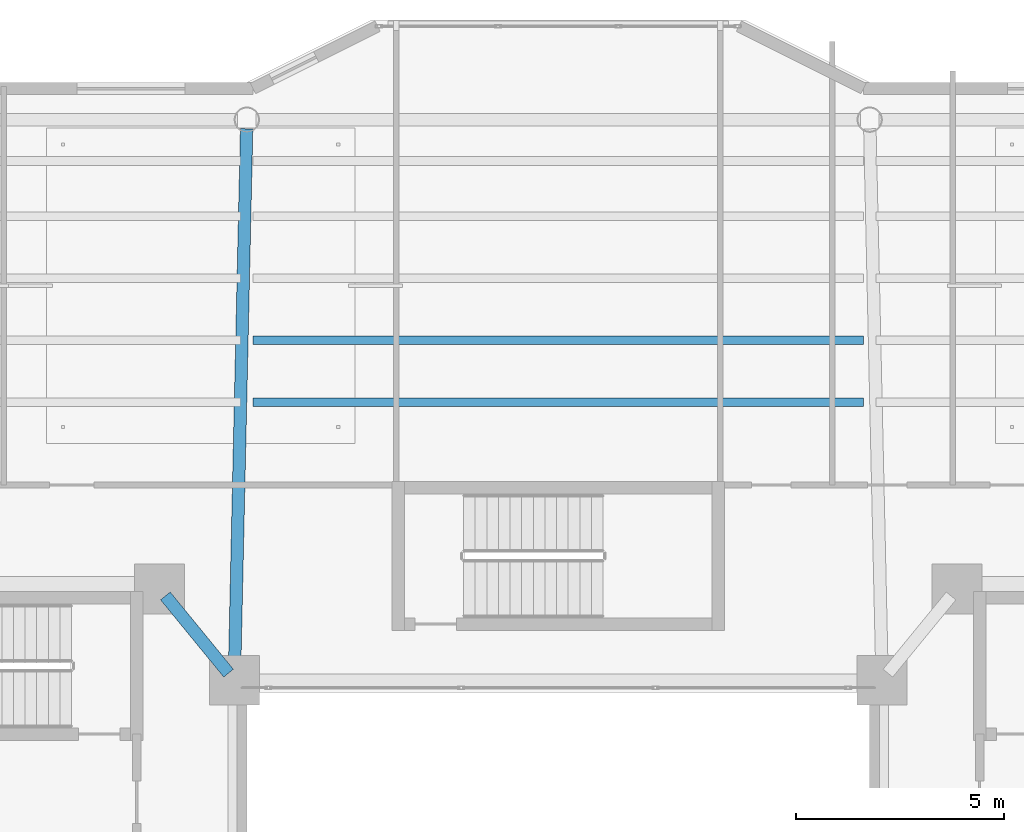
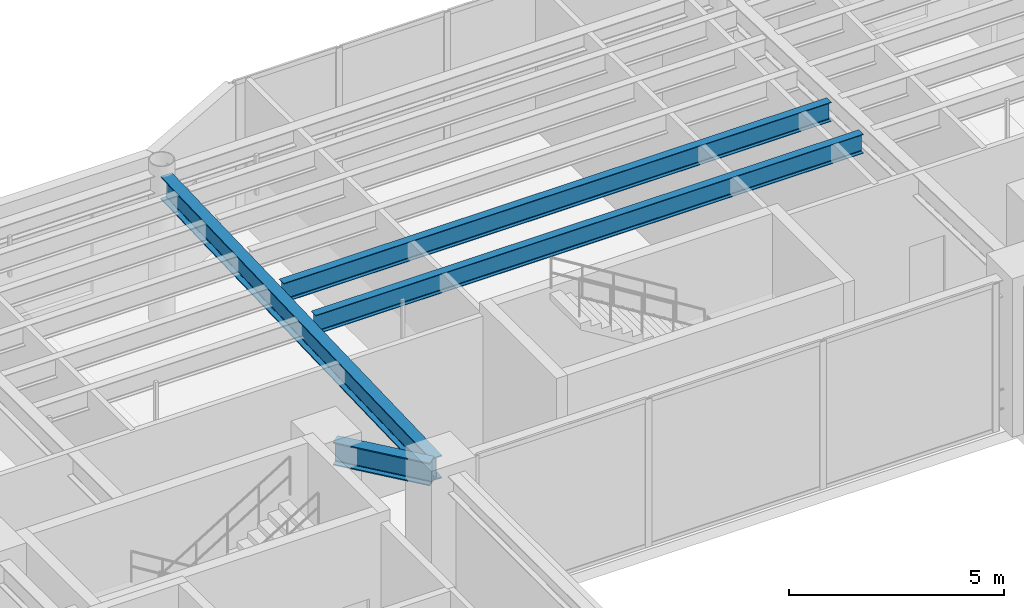
# One storey, part 22 of 37: 4 beams.
"""IFC4 building model written with IfcOpenShell, lengths in metres."""

import ifcopenshell
import ifcopenshell.guid

model = None  # the IFC model being written
_history = None  # IfcOwnerHistory: only IFC2X3 demands one
_inside = {}  # id of a spatial element -> (the spatial element, [elements in it])
_under = {}  # id of a project, library or spatial element -> (it, [spatial elements below it])
_declared = {}  # id of a project -> (the project, [libraries it declares])
_typed = {}  # id of a type object -> (the type object, [elements of that type])
_made_of = {}  # id of a material, layer set ... -> (it, [elements and type objects made of it])


def new_model(schema):
    """Start an empty IFC model of exactly this schema.

    Asked for "IFC4X3", IfcOpenShell would pick the latest addendum, in which some entities
    have other attributes; the version numbers below select the first issue.
    IFC2X3 requires an IfcOwnerHistory on every rooted entity: one is made here for all.
    """
    global model, _history
    if schema == "IFC4X3":
        model = ifcopenshell.file(schema_version=(4, 3, 0, 0))
    else:
        model = ifcopenshell.file(schema=schema)
    _inside.clear()
    _under.clear()
    _declared.clear()
    _typed.clear()
    _made_of.clear()
    _history = None
    if model.schema == "IFC2X3":
        org = make("IfcOrganization", Name="unknown")
        user = make(
            "IfcPersonAndOrganization",
            ThePerson=make("IfcPerson", FamilyName="unknown"),
            TheOrganization=org,
        )
        app = make(
            "IfcApplication",
            ApplicationDeveloper=org,
            Version="unknown",
            ApplicationFullName="unknown",
            ApplicationIdentifier="unknown",
        )
        _history = make(
            "IfcOwnerHistory",
            OwningUser=user,
            OwningApplication=app,
            ChangeAction="ADDED",
            CreationDate=0,
        )
    return model


def make(cls, **values):
    """One entity of the class cls with the attributes given. An attribute that is None is left unset."""
    return model.create_entity(
        cls, **{name: value for name, value in values.items() if value is not None}
    )


def rooted(cls, **values):
    """An entity with a GlobalId (a new one), such as an element, a storey or a relation."""
    return make(cls, GlobalId=ifcopenshell.guid.new(), OwnerHistory=_history, **values)


def si_unit(unit_type, name, prefix=None):
    """IfcSIUnit, for example si_unit("LENGTHUNIT", "METRE", prefix="MILLI")."""
    return make("IfcSIUnit", UnitType=unit_type, Prefix=prefix, Name=name)


def assignment(units):
    """IfcUnitAssignment: the units of a project."""
    return None if units is None else make("IfcUnitAssignment", Units=units)


def point(xyz):
    """IfcCartesianPoint."""
    return None if xyz is None else make("IfcCartesianPoint", Coordinates=xyz)


def direction(xyz):
    """IfcDirection."""
    return None if xyz is None else make("IfcDirection", DirectionRatios=xyz)


def frame(location, z_axis=None, x_axis=None):
    """IfcAxis2Placement3D, a coordinate frame: its origin and axes. An axis left out is left unset."""
    return make(
        "IfcAxis2Placement3D",
        Location=point(location),
        Axis=direction(z_axis),
        RefDirection=direction(x_axis),
    )


def frame_2d(location, x_axis=None):
    """IfcAxis2Placement2D, a coordinate frame in the plane: its origin and x axis."""
    return make(
        "IfcAxis2Placement2D", Location=point(location), RefDirection=direction(x_axis)
    )


def origin():
    """The frame at (0, 0, 0) with its axes left unset."""
    return frame((0.0, 0.0, 0.0))


def origin_2d():
    """The frame at (0, 0) in the plane with its x axis left unset."""
    return frame_2d((0.0, 0.0))


def place(relative_to, where):
    """IfcLocalPlacement: puts the frame where relative to a parent placement (None: the world)."""
    return make(
        "IfcLocalPlacement", PlacementRelTo=relative_to, RelativePlacement=where
    )


def context(
    kind, dimensions, precision=None, world=None, true_north=None, identifier=None
):
    """IfcGeometricRepresentationContext, for example the 3D "Model" context."""
    return make(
        "IfcGeometricRepresentationContext",
        ContextIdentifier=identifier,
        ContextType=kind,
        CoordinateSpaceDimension=dimensions,
        Precision=precision,
        WorldCoordinateSystem=world,
        TrueNorth=true_north,
    )


def subcontext(parent, identifier, kind, view, scale=None):
    """IfcGeometricRepresentationSubContext, for example "Body" below "Model"."""
    return make(
        "IfcGeometricRepresentationSubContext",
        ContextIdentifier=identifier,
        ContextType=kind,
        ParentContext=parent,
        TargetScale=scale,
        TargetView=view,
    )


def project(units=None, contexts=None):
    """IfcProject with its units and contexts."""
    return rooted(
        "IfcProject",
        Name="project",
        RepresentationContexts=contexts,
        UnitsInContext=assignment(units),
    )


def spatial(cls, under=None, at=None, **own):
    """A site, building, storey or space (cls), placed at a placement, below another one or the project."""
    s = rooted(cls, ObjectPlacement=at, **own)
    if under is not None:
        _under.setdefault(under.id(), (under, []))[1].append(s)
    return s


def profile(cls, at=None, kind="AREA", **sizes):
    """A parametric profile (cls). Its sizes go by their IFC names, for example OverallWidth=200.0."""
    return make(cls, ProfileType=kind, Position=at, **sizes)


def i_section(**sizes):
    """IfcIShapeProfileDef."""
    return profile("IfcIShapeProfileDef", **sizes)


def extrude(swept, where, along, depth):
    """IfcExtrudedAreaSolid: the profile swept, set in the frame where, extruded along a direction by depth."""
    return make(
        "IfcExtrudedAreaSolid",
        SweptArea=swept,
        Position=where,
        ExtrudedDirection=direction(along),
        Depth=depth,
    )


def shape(context_of_items, identifier, shape_type, items):
    """IfcShapeRepresentation: the items that make up one representation, for example the "Body"."""
    return make(
        "IfcShapeRepresentation",
        ContextOfItems=context_of_items,
        RepresentationIdentifier=identifier,
        RepresentationType=shape_type,
        Items=items,
    )


def material(Name=None, Category=None):
    """IfcMaterial."""
    return make("IfcMaterial", Name=Name, Category=Category)


def material_profile(
    of_material, cross_section, Name=None, Category=None, Priority=None
):
    """IfcMaterialProfile: a cross section and its material."""
    return make(
        "IfcMaterialProfile",
        Name=Name,
        Material=of_material,
        Profile=cross_section,
        Priority=Priority,
        Category=Category,
    )


def profile_set(profiles, Name=None, composite=None):
    """IfcMaterialProfileSet."""
    return make(
        "IfcMaterialProfileSet",
        Name=Name,
        MaterialProfiles=profiles,
        CompositeProfile=composite,
    )


def made_of(thing, what):
    """Note that an element or type object is made of a material, layer set ...; save() writes the relation."""
    if what is not None:
        _made_of.setdefault(what.id(), (what, []))[1].append(thing)
    return thing


def type_object(cls, material=None, **own):
    """A type object (cls), such as IfcWallType, which elements share."""
    return made_of(rooted(cls, **own), material)


def element(
    cls,
    number,
    at=None,
    inside=None,
    cuts=None,
    type_object=None,
    material=None,
    context=None,
    identifier="Body",
    shape_type=None,
    held_by="IfcProductDefinitionShape",
    body=None,
    shapes=None,
    **own,
):
    """One element of the class cls, such as IfcWall. Its Tag is "e" and its number.

    at: its placement. inside: the storey or other place that contains it. cuts: it is an
    opening in that element (IfcRelVoidsElement). A single representation is given by context,
    identifier, shape_type and body (its items); several are given by shapes. held_by: the class
    of the entity that holds the representations. save() writes the other relations.
    """
    e = rooted(cls, Tag="e%d" % number, ObjectPlacement=at, **own)
    if body is not None:
        shapes = [shape(context, identifier, shape_type, body)]
    if shapes is not None:
        e.Representation = make(held_by, Representations=shapes)
    if inside is not None:
        _inside.setdefault(inside.id(), (inside, []))[1].append(e)
    if cuts is not None:
        rooted(
            "IfcRelVoidsElement", RelatingBuildingElement=cuts, RelatedOpeningElement=e
        )
    if type_object is not None:
        _typed.setdefault(type_object.id(), (type_object, []))[1].append(e)
    return made_of(e, material)


def aggregate(whole, parts):
    """IfcRelAggregates: a whole, such as a stair, and the parts it consists of."""
    return rooted("IfcRelAggregates", RelatingObject=whole, RelatedObjects=parts)


def save(model, path):
    """Write the relations noted so far, then the file.

    IfcRelAggregates (storeys below a building ...), IfcRelContainedInSpatialStructure (elements
    in a storey), IfcRelDefinesByType, IfcRelAssociatesMaterial and IfcRelDeclares: one each for
    every whole, place, type object, material and project.
    """
    for whole, parts in _under.values():
        aggregate(whole, parts)
    for where, things in _inside.values():
        rooted(
            "IfcRelContainedInSpatialStructure",
            RelatedElements=things,
            RelatingStructure=where,
        )
    for kind, things in _typed.values():
        rooted("IfcRelDefinesByType", RelatedObjects=things, RelatingType=kind)
    for what, things in _made_of.values():
        rooted("IfcRelAssociatesMaterial", RelatedObjects=things, RelatingMaterial=what)
    for by, libraries in _declared.values():
        rooted("IfcRelDeclares", RelatingContext=by, RelatedDefinitions=libraries)
    model.write(path)


model = new_model("IFC4")

# Units and contexts
model_context = context("Model", 3, precision=1e-05, world=origin(), true_north=direction((0.0, 1.0)))
body_context = subcontext(model_context, "Body", "Model", "MODEL_VIEW")
ifc_project = project(units=[si_unit("LENGTHUNIT", "METRE"), si_unit("AREAUNIT", "SQUARE_METRE"), si_unit("VOLUMEUNIT", "CUBIC_METRE"), si_unit("PLANEANGLEUNIT", "RADIAN"), si_unit("MASSUNIT", "GRAM", prefix="KILO")], contexts=[model_context])

# Site, building, storey
site_placement = place(None, origin())
site = spatial("IfcSite", under=ifc_project, at=site_placement, CompositionType="ELEMENT")
building_placement = place(site_placement, origin())
building = spatial("IfcBuilding", under=site, at=building_placement, Name="Tarnavaz Court Tower", CompositionType="ELEMENT")
storey_placement = place(building_placement, frame((0.0, 0.0, 118.5)))
storey = spatial("IfcBuildingStorey", under=building, at=storey_placement, Name="L32", CompositionType="ELEMENT", Elevation=118.5)

# Beams
ifc_material = material(Name="Steel S355", Category="steel")
ifc_material_profile_1 = material_profile(ifc_material, i_section(OverallWidth=0.300048828125, OverallDepth=0.64990234375, WebThickness=0.01611328125, FlangeThickness=0.031005859375, FilletRadius=0.027099609375, at=origin_2d()), Name="HEB 650")
ifc_profile_set_1 = profile_set([ifc_material_profile_1], Name="Steel S355")
beam_type_1 = type_object("IfcBeamType", Name="BM-G-HEB650", PredefinedType="USERDEFINED", material=ifc_profile_set_1)
beam_1_placement = place(storey_placement, frame((-9.460693359375, 9.82958984375, 3.875), z_axis=(0.633282058357, -0.773921077735, 0.0), x_axis=(0.773921077735, 0.633282058357, 0.0)))
element("IfcBeam", 1, at=beam_1_placement, inside=storey, type_object=beam_type_1, Name="L32 Beam IN-CW-NI-IW-NW", ObjectType="GIRDER", PredefinedType="USERDEFINED", context=body_context, shape_type="SweptSolid", body=[
    extrude(i_section(OverallWidth=0.300048828125, OverallDepth=0.64990234375, WebThickness=0.01611328125, FlangeThickness=0.031005859375, FilletRadius=0.027099609375, at=origin_2d()), origin(), (0.0, 0.0, 1.0), 2.402587890625),
])
beam_2_placement = place(storey_placement, frame((-7.795166015625, 8.02001953125, 3.875), z_axis=(0.022221303469, 0.99975307635, 0.0), x_axis=(-0.99975307635, 0.022221303469, 0.0)))
element("IfcBeam", 2, at=beam_2_placement, inside=storey, type_object=beam_type_1, Name="L32 Beam RG-02", ObjectType="GIRDER", PredefinedType="USERDEFINED", context=body_context, shape_type="SweptSolid", body=[
    extrude(i_section(OverallWidth=0.300048828125, OverallDepth=0.64990234375, WebThickness=0.01611328125, FlangeThickness=0.031005859375, FilletRadius=0.027099609375, at=origin_2d()), origin(), (0.0, 0.0, 1.0), 13.063232421875),
])
ifc_material_profile_2 = material_profile(ifc_material, i_section(OverallWidth=0.2099609375, OverallDepth=0.550048828125, WebThickness=0.010986328125, FlangeThickness=0.01708984375, FilletRadius=0.02392578125, at=origin_2d()), Name="IPE 550")
ifc_profile_set_2 = profile_set([ifc_material_profile_2], Name="Steel S355")
beam_type_2 = type_object("IfcBeamType", Name="BM-J-IPE550", PredefinedType="JOIST", material=ifc_profile_set_2)
for number, where, z_axis, x_axis, name in (
    (3, (-7.35009765625, 14.493896484375, 3.925048828125), (1.0, 0.0, 0.0), (0.0, 1.0, 0.0), "L32 Beam JN1-2"),
    (4, (-7.35009765625, 15.988037109375, 3.925048828125), (1.0, 0.0, 0.0), (0.0, 1.0, 0.0), "L32 Beam JN2-2"),
):
    element("IfcBeam", number, at=place(storey_placement, frame(where, z_axis=z_axis, x_axis=x_axis)), inside=storey, type_object=beam_type_2, Name=name, PredefinedType="JOIST", context=body_context, shape_type="SweptSolid", body=[
        extrude(i_section(OverallWidth=0.2099609375, OverallDepth=0.550048828125, WebThickness=0.010986328125, FlangeThickness=0.01708984375, FilletRadius=0.02392578125, at=origin_2d()), origin(), (0.0, 0.0, 1.0), 14.7001953125),
    ])

save(model, "model.ifc")
